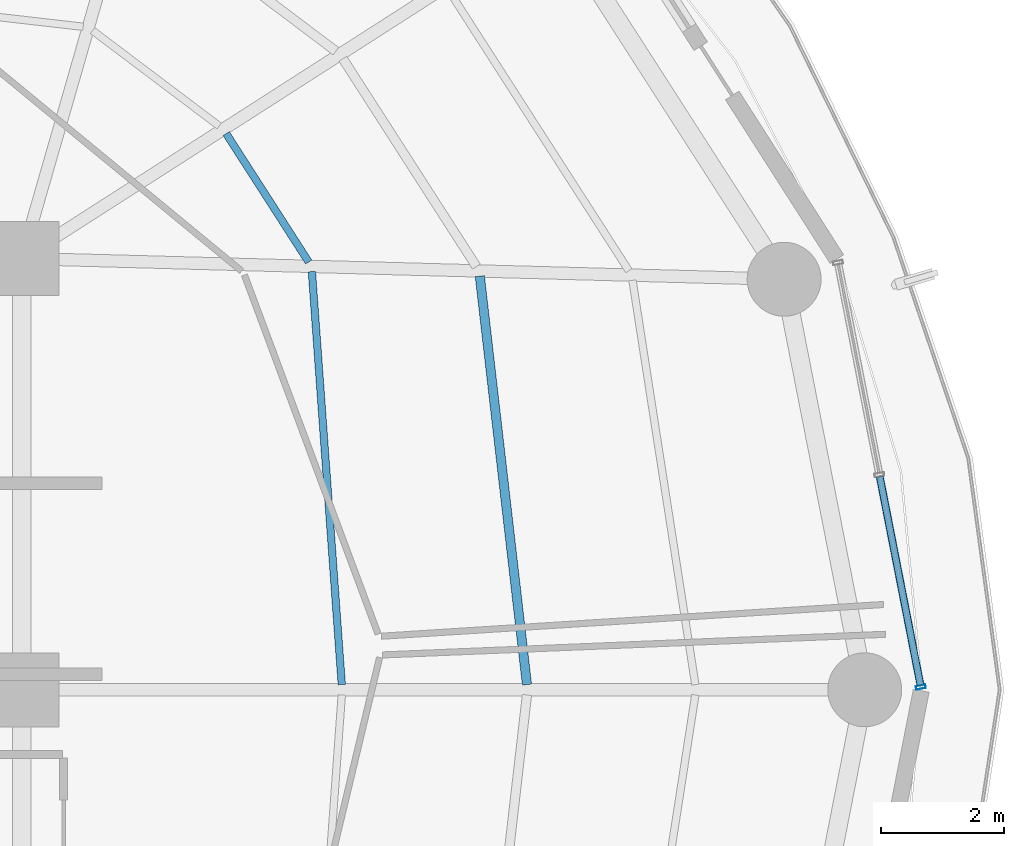
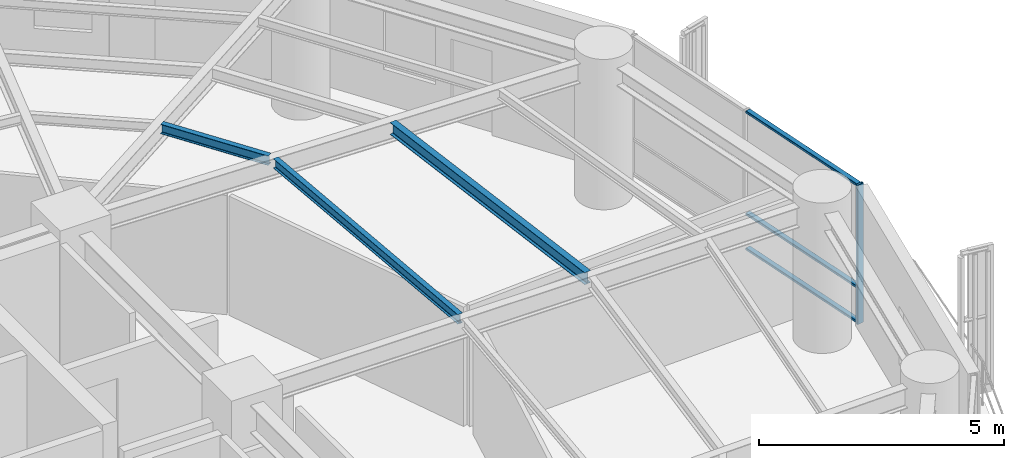
# One storey, part 13 of 27: 4 members, 3 beams, 1 element without a shape of its own.
"""IFC4 building model written with IfcOpenShell, lengths in metres."""

from ifc_helpers import new_model, si_unit, direction, frame, origin, origin_2d, place, context, subcontext, project, spatial, hollow_rectangle, i_section, extrude, material, layer, layer_set, material_profile, profile_set, type_object, element, aggregate, save


model = new_model("IFC4")

# Units and contexts
model_context = context("Model", 3, precision=1e-05, world=origin(), true_north=direction((0.0, 1.0)))
body_context = subcontext(model_context, "Body", "Model", "MODEL_VIEW")
ifc_project = project(units=[si_unit("LENGTHUNIT", "METRE"), si_unit("AREAUNIT", "SQUARE_METRE"), si_unit("VOLUMEUNIT", "CUBIC_METRE"), si_unit("PLANEANGLEUNIT", "RADIAN"), si_unit("MASSUNIT", "GRAM", prefix="KILO")], contexts=[model_context])

# Site, building, storey
site_placement = place(None, origin())
site = spatial("IfcSite", under=ifc_project, at=site_placement, CompositionType="ELEMENT")
building_placement = place(site_placement, origin())
building = spatial("IfcBuilding", under=site, at=building_placement, Name="Kelanora Arch Commons", CompositionType="ELEMENT")
storey_placement = place(building_placement, frame((0.0, 0.0, 165.60009765625)))
storey = spatial("IfcBuildingStorey", under=building, at=storey_placement, Name="L42", CompositionType="ELEMENT", Elevation=165.60009765625)

# Beams
ifc_material_1 = material(Name="Steel S355", Category="steel")
ifc_material_profile_1 = material_profile(ifc_material_1, i_section(OverallWidth=0.14990234375, OverallDepth=0.300048828125, WebThickness=0.007080078125, FlangeThickness=0.0107421875, FilletRadius=0.014892578125, at=origin_2d()), Name="IPE300")
ifc_profile_set_1 = profile_set([ifc_material_profile_1], Name="Steel S355")
beam_type_1 = type_object("IfcBeamType", Name="BM-JST-01", PredefinedType="JOIST", material=ifc_profile_set_1)
beam_1_placement = place(storey_placement, frame((90.1982421875, 58.08447265625, 3.33984375), z_axis=(-0.114667159005, 0.9934039675, 0.0), x_axis=(-0.9934039675, -0.114667159005, 0.0)))
element("IfcBeam", 1, at=beam_1_placement, inside=storey, type_object=beam_type_1, Name="Secondary Chord Joist BJB-00 L42", PredefinedType="JOIST", context=body_context, shape_type="SweptSolid", body=[
    extrude(i_section(OverallWidth=0.14990234375, OverallDepth=0.300048828125, WebThickness=0.007080078125, FlangeThickness=0.0107421875, FilletRadius=0.014892578125, at=origin_2d()), origin(), (0.0, 0.0, 1.0), 6.672607421875),
])
ifc_material_profile_2 = material_profile(ifc_material_1, i_section(OverallWidth=0.1201171875, OverallDepth=0.239990234375, WebThickness=0.006103515625, FlangeThickness=0.009765625, FilletRadius=0.014892578125, at=origin_2d()), Name="IPE240")
ifc_profile_set_2 = profile_set([ifc_material_profile_2], Name="Steel S355")
beam_type_2 = type_object("IfcBeamType", Name="BM-JST-02", PredefinedType="JOIST", material=ifc_profile_set_2)
beam_2_placement = place(storey_placement, frame((87.1923828125, 58.084716796875, 3.369873046875), z_axis=(-0.072117123738, 0.997396170267, 0.0), x_axis=(-0.997396170267, -0.072117123738, 0.0)))
element("IfcBeam", 2, at=beam_2_placement, inside=storey, type_object=beam_type_2, Name="Secondary Chord Joist BJA-00 L42", PredefinedType="JOIST", context=body_context, shape_type="SweptSolid", body=[
    extrude(i_section(OverallWidth=0.1201171875, OverallDepth=0.239990234375, WebThickness=0.006103515625, FlangeThickness=0.009765625, FilletRadius=0.014892578125, at=origin_2d()), origin(), (0.0, 0.0, 1.0), 6.719970703125),
])
beam_3_placement = place(storey_placement, frame((86.655517578125, 64.943359375, 3.369873046875), z_axis=(-0.540583174025, 0.841290575224, 0.0), x_axis=(-0.841290575224, -0.540583174025, 0.0)))
element("IfcBeam", 3, at=beam_3_placement, inside=storey, type_object=beam_type_2, Name="Secondary Chord Joist BJA-02 L42", PredefinedType="JOIST", context=body_context, shape_type="SweptSolid", body=[
    extrude(i_section(OverallWidth=0.1201171875, OverallDepth=0.239990234375, WebThickness=0.006103515625, FlangeThickness=0.009765625, FilletRadius=0.014892578125, at=origin_2d()), origin(), (0.0, 0.0, 1.0), 2.476318359375),
])

# Curtain wall, members
ifc_material_2 = material(Name="Terracotta ceramic-fritted low-E glass and aluminium", Category="masonry")
ifc_layer = layer(ifc_material_2, 0.175048828125)
ifc_layer_set = layer_set([ifc_layer], Name="Terracotta ceramic-fritted low-E glass and aluminium")
curtain_wall_type = type_object("IfcCurtainWallType", Name="CW-SYS-02", PredefinedType="NOTDEFINED", material=ifc_layer_set)
curtain_wall_placement = place(storey_placement, origin())
curtain_wall = element("IfcCurtainWall", 4, at=curtain_wall_placement, inside=storey, type_object=curtain_wall_type, Name="Unitised Curtain Wall L42-B00", PredefinedType="NOTDEFINED")
ifc_material_3 = material(Name="Powder-coated aluminium terracotta", Category="masonry")
ifc_material_profile_3 = material_profile(ifc_material_3, hollow_rectangle(XDim=0.159912109375, YDim=0.06005859375, WallThickness=0.0048828125, InnerFilletRadius=0.0048828125, OuterFilletRadius=0.010009765625, at=origin_2d()), Name="CWM160x60")
ifc_profile_set_3 = profile_set([ifc_material_profile_3], Name="Powder-coated aluminium terracotta")
member_type_1 = type_object("IfcMemberType", Name="CWM-STD", PredefinedType="MULLION", material=ifc_profile_set_3)
member_1_placement = place(storey_placement, frame((96.59130859375, 58.044189453125, 0.0), z_axis=(0.0, 0.0, 1.0), x_axis=(-0.981452557718, -0.191705182375, 0.0)))
member_1 = element("IfcMember", 5, at=member_1_placement, type_object=member_type_1, Name="CW-02 mullion 1", PredefinedType="MULLION", context=body_context, shape_type="SweptSolid", body=[
    extrude(hollow_rectangle(XDim=0.159912109375, YDim=0.06005859375, WallThickness=0.0048828125, InnerFilletRadius=0.0048828125, OuterFilletRadius=0.010009765625, at=origin_2d()), origin(), (0.0, 0.0, 1.0), 3.474853515625),
])
ifc_material_profile_4 = material_profile(ifc_material_3, hollow_rectangle(XDim=0.1201171875, YDim=0.06005859375, WallThickness=0.0048828125, InnerFilletRadius=0.0048828125, OuterFilletRadius=0.010009765625, at=origin_2d()), Name="CWT120x60")
ifc_profile_set_4 = profile_set([ifc_material_profile_4], Name="Powder-coated aluminium terracotta")
member_type_2 = type_object("IfcMemberType", Name="CWT-STD", PredefinedType="USERDEFINED", material=ifc_profile_set_4)
member_2_placement = place(storey_placement, frame((96.585693359375, 58.073486328125, 0.02978515625), z_axis=(-0.191718206447, 0.981450013662, 0.0), x_axis=(-0.981450013662, -0.191718206447, 0.0)))
member_2 = element("IfcMember", 6, at=member_2_placement, type_object=member_type_2, Name="CW-02 transom 1.1", ObjectType="TRANSOM", PredefinedType="USERDEFINED", context=body_context, shape_type="SweptSolid", body=[
    extrude(hollow_rectangle(XDim=0.1201171875, YDim=0.06005859375, WallThickness=0.0048828125, InnerFilletRadius=0.0048828125, OuterFilletRadius=0.010009765625, at=origin_2d()), origin(), (0.0, 0.0, 1.0), 3.44970703125),
])
member_3_placement = place(storey_placement, frame((96.585693359375, 58.073486328125, 0.89990234375), z_axis=(-0.191718206447, 0.981450013662, 0.0), x_axis=(-0.981450013662, -0.191718206447, 0.0)))
member_3 = element("IfcMember", 7, at=member_3_placement, type_object=member_type_2, Name="CW-02 transom 1.2", ObjectType="TRANSOM", PredefinedType="USERDEFINED", context=body_context, shape_type="SweptSolid", body=[
    extrude(hollow_rectangle(XDim=0.1201171875, YDim=0.06005859375, WallThickness=0.0048828125, InnerFilletRadius=0.0048828125, OuterFilletRadius=0.010009765625, at=origin_2d()), origin(), (0.0, 0.0, 1.0), 3.44970703125),
])
member_4_placement = place(storey_placement, frame((96.585693359375, 58.073486328125, 3.44482421875), z_axis=(-0.191718206447, 0.981450013662, 0.0), x_axis=(-0.981450013662, -0.191718206447, 0.0)))
member_4 = element("IfcMember", 8, at=member_4_placement, type_object=member_type_2, Name="CW-02 transom 1.3", ObjectType="TRANSOM", PredefinedType="USERDEFINED", context=body_context, shape_type="SweptSolid", body=[
    extrude(hollow_rectangle(XDim=0.1201171875, YDim=0.06005859375, WallThickness=0.0048828125, InnerFilletRadius=0.0048828125, OuterFilletRadius=0.010009765625, at=origin_2d()), origin(), (0.0, 0.0, 1.0), 3.44970703125),
])
aggregate(curtain_wall, [member_1, member_2, member_3, member_4])

save(model, "model.ifc")
